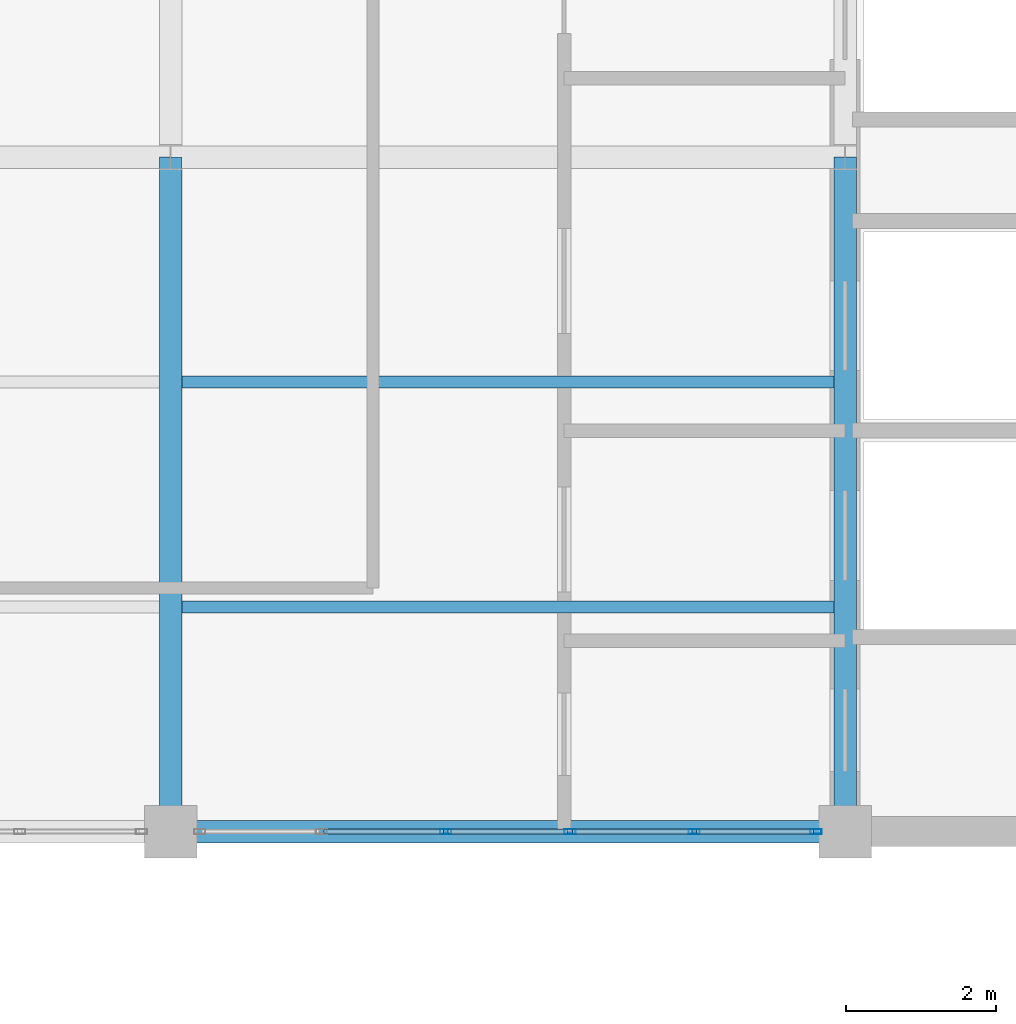
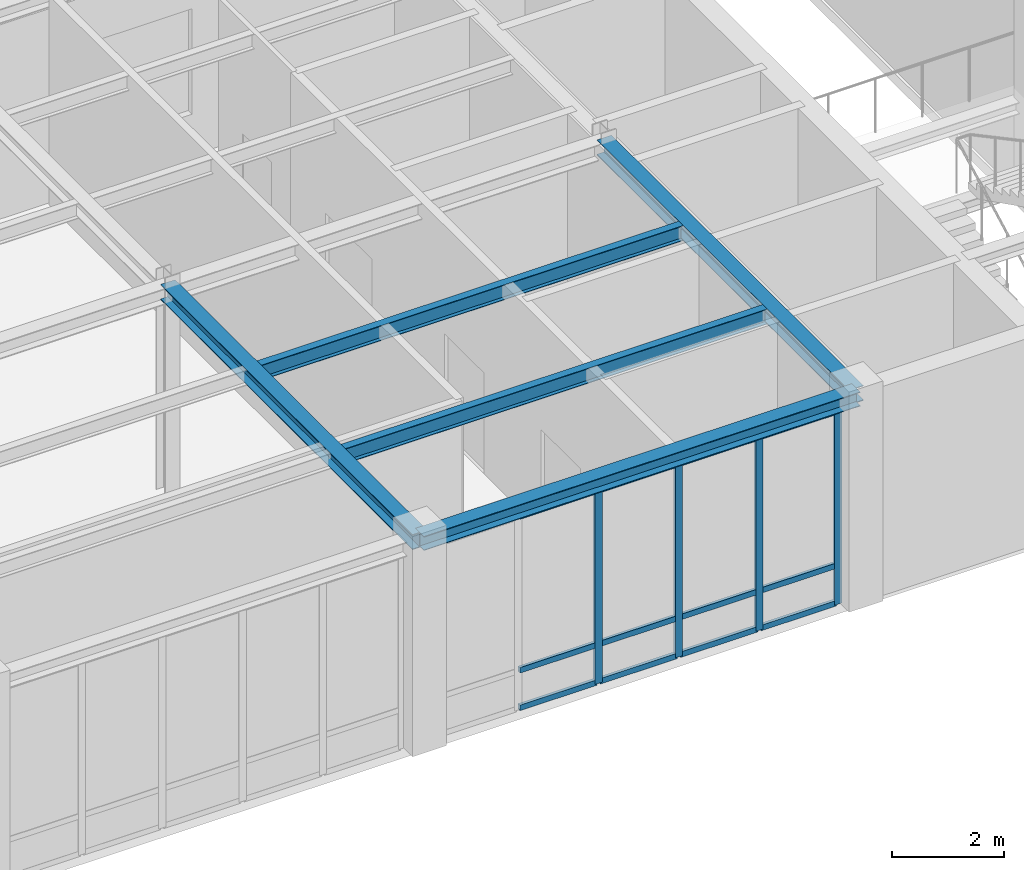
# One storey, part 47 of 98: 16 members, 5 beams, 1 element without a shape of its own.
"""IFC4 building model written with IfcOpenShell, lengths in metres."""

from ifc_helpers import new_model, si_unit, direction, frame, origin, origin_2d, place, context, subcontext, project, spatial, hollow_rectangle, i_section, extrude, material, material_profile, profile_set, type_object, element, aggregate, save


model = new_model("IFC4")

# Units and contexts
model_context = context("Model", 3, precision=1e-05, world=origin(), true_north=direction((0.0, 1.0)))
body_context = subcontext(model_context, "Body", "Model", "MODEL_VIEW")
ifc_project = project(units=[si_unit("LENGTHUNIT", "METRE"), si_unit("AREAUNIT", "SQUARE_METRE"), si_unit("VOLUMEUNIT", "CUBIC_METRE"), si_unit("PLANEANGLEUNIT", "RADIAN"), si_unit("MASSUNIT", "GRAM", prefix="KILO")], contexts=[model_context])

# Site, building, storey
site_placement = place(None, origin())
site = spatial("IfcSite", under=ifc_project, at=site_placement, CompositionType="ELEMENT")
building_placement = place(site_placement, origin())
building = spatial("IfcBuilding", under=site, at=building_placement, Name="Lykobir Media Centre", CompositionType="ELEMENT")
storey_placement = place(building_placement, frame((0.0, 0.0, 10.199951171875)))
storey = spatial("IfcBuildingStorey", under=building, at=storey_placement, Name="L02", CompositionType="ELEMENT", Elevation=10.199951171875)

# Beams
ifc_material_1 = material(Name="Steel S355", Category="steel")
ifc_material_profile_1 = material_profile(ifc_material_1, i_section(OverallWidth=0.300048828125, OverallDepth=0.330078125, WebThickness=0.009521484375, FlangeThickness=0.0166015625, at=origin_2d()), Name="HEA 340")
ifc_profile_set_1 = profile_set([ifc_material_profile_1], Name="Steel S355")
beam_type_1 = type_object("IfcBeamType", Name="BM-HEA340", PredefinedType="BEAM", material=ifc_profile_set_1)
for number, where, z_axis, x_axis, name in (
    (1, (117.0, 72.0, 4.39501953125), (0.0, 1.0, 0.0), (-1.0, 0.0, 0.0), "Beam BM-L02-1170-0720-1170-0810-1460"),
    (2, (126.0, 72.0, 4.39501953125), (0.0, 1.0, 0.0), (-1.0, 0.0, 0.0), "Beam BM-L02-1260-0720-1260-0810-1460"),
):
    element("IfcBeam", number, at=place(storey_placement, frame(where, z_axis=z_axis, x_axis=x_axis)), inside=storey, type_object=beam_type_1, Name=name, PredefinedType="BEAM", context=body_context, shape_type="SweptSolid", body=[
        extrude(i_section(OverallWidth=0.300048828125, OverallDepth=0.330078125, WebThickness=0.009521484375, FlangeThickness=0.0166015625, at=origin_2d()), origin(), (0.0, 0.0, 1.0), 9.0),
    ])

# Curtain wall, members
ifc_material_2 = material(Name="Anodized Aluminium AW-6060", Category="aluminium")
curtain_wall_type = type_object("IfcCurtainWallType", Name="CW-COURT-A", PredefinedType="NOTDEFINED", material=ifc_material_2)
curtain_wall_placement = place(storey_placement, origin())
curtain_wall = element("IfcCurtainWall", 3, at=curtain_wall_placement, inside=storey, type_object=curtain_wall_type, Name="Curtain wall CW2-L02-0110", PredefinedType="NOTDEFINED")
ifc_material_profile_2 = material_profile(ifc_material_2, hollow_rectangle(XDim=0.06494140625, YDim=0.14990234375, WallThickness=0.00341796875, at=origin_2d()), Name="ALU MULLION 65x150")
ifc_profile_set_2 = profile_set([ifc_material_profile_2], Name="Anodized Aluminium AW-6060")
member_type_1 = type_object("IfcMemberType", Name="CWM-150", PredefinedType="MULLION", material=ifc_profile_set_2)
member_1_placement = place(storey_placement, frame((125.612548828125, 72.0, 0.0), z_axis=(0.0, 0.0, 1.0), x_axis=(0.0, -1.0, 0.0)))
member_1 = element("IfcMember", 4, at=member_1_placement, type_object=member_type_1, Name="CW2-L02-0110 mullion 1", PredefinedType="MULLION", context=body_context, shape_type="SweptSolid", body=[
    extrude(hollow_rectangle(XDim=0.06494140625, YDim=0.14990234375, WallThickness=0.00341796875, at=origin_2d()), origin(), (0.0, 0.0, 1.0), 4.235107421875),
])
member_2_placement = place(storey_placement, frame((123.987060546875, 72.0, 0.0), z_axis=(0.0, 0.0, 1.0), x_axis=(0.0, -1.0, 0.0)))
member_2 = element("IfcMember", 5, at=member_2_placement, type_object=member_type_1, Name="CW2-L02-0110 mullion 2", PredefinedType="MULLION", context=body_context, shape_type="SweptSolid", body=[
    extrude(hollow_rectangle(XDim=0.06494140625, YDim=0.14990234375, WallThickness=0.00341796875, at=origin_2d()), origin(), (0.0, 0.0, 1.0), 4.235107421875),
])
member_3_placement = place(storey_placement, frame((122.3291015625, 72.0, 0.0), z_axis=(0.0, 0.0, 1.0), x_axis=(0.0, -1.0, 0.0)))
member_3 = element("IfcMember", 6, at=member_3_placement, type_object=member_type_1, Name="CW2-L02-0110 mullion 3", PredefinedType="MULLION", context=body_context, shape_type="SweptSolid", body=[
    extrude(hollow_rectangle(XDim=0.06494140625, YDim=0.14990234375, WallThickness=0.00341796875, at=origin_2d()), origin(), (0.0, 0.0, 1.0), 4.235107421875),
])
member_4_placement = place(storey_placement, frame((120.6708984375, 72.0, 0.0), z_axis=(0.0, 0.0, 1.0), x_axis=(0.0, -1.0, 0.0)))
member_4 = element("IfcMember", 7, at=member_4_placement, type_object=member_type_1, Name="CW2-L02-0110 mullion 4", PredefinedType="MULLION", context=body_context, shape_type="SweptSolid", body=[
    extrude(hollow_rectangle(XDim=0.06494140625, YDim=0.14990234375, WallThickness=0.00341796875, at=origin_2d()), origin(), (0.0, 0.0, 1.0), 4.235107421875),
])
ifc_material_profile_3 = material_profile(ifc_material_2, hollow_rectangle(XDim=0.06494140625, YDim=0.1201171875, WallThickness=0.0029296875, at=origin_2d()), Name="ALU TRANSOM 65x120")
ifc_profile_set_3 = profile_set([ifc_material_profile_3], Name="Anodized Aluminium AW-6060")
member_type_2 = type_object("IfcMemberType", Name="CWT-120", PredefinedType="USERDEFINED", material=ifc_profile_set_3)
member_5_placement = place(storey_placement, frame((125.580078125, 72.0, 0.032470703125), z_axis=(-1.0, 0.0, 0.0), x_axis=(0.0, -1.0, 0.0)))
member_5 = element("IfcMember", 8, at=member_5_placement, type_object=member_type_2, Name="CW2-L02-0110 transom 1.1", ObjectType="TRANSOM", PredefinedType="USERDEFINED", context=body_context, shape_type="SweptSolid", body=[
    extrude(hollow_rectangle(XDim=0.06494140625, YDim=0.1201171875, WallThickness=0.0029296875, at=origin_2d()), origin(), (0.0, 0.0, 1.0), 1.560546875),
])
member_6_placement = place(storey_placement, frame((125.580078125, 72.0, 0.85009765625), z_axis=(-1.0, 0.0, 0.0), x_axis=(0.0, -1.0, 0.0)))
member_6 = element("IfcMember", 9, at=member_6_placement, type_object=member_type_2, Name="CW2-L02-0110 transom 1.2", ObjectType="TRANSOM", PredefinedType="USERDEFINED", context=body_context, shape_type="SweptSolid", body=[
    extrude(hollow_rectangle(XDim=0.06494140625, YDim=0.1201171875, WallThickness=0.0029296875, at=origin_2d()), origin(), (0.0, 0.0, 1.0), 1.560546875),
])
member_7_placement = place(storey_placement, frame((125.580078125, 72.0, 4.20263671875), z_axis=(-1.0, 0.0, 0.0), x_axis=(0.0, -1.0, 0.0)))
member_7 = element("IfcMember", 10, at=member_7_placement, type_object=member_type_2, Name="CW2-L02-0110 transom 1.3", ObjectType="TRANSOM", PredefinedType="USERDEFINED", context=body_context, shape_type="SweptSolid", body=[
    extrude(hollow_rectangle(XDim=0.06494140625, YDim=0.1201171875, WallThickness=0.0029296875, at=origin_2d()), origin(), (0.0, 0.0, 1.0), 1.560546875),
])
member_8_placement = place(storey_placement, frame((123.95458984375, 72.0, 0.032470703125), z_axis=(-1.0, 0.0, 0.0), x_axis=(0.0, -1.0, 0.0)))
member_8 = element("IfcMember", 11, at=member_8_placement, type_object=member_type_2, Name="CW2-L02-0110 transom 2.1", ObjectType="TRANSOM", PredefinedType="USERDEFINED", context=body_context, shape_type="SweptSolid", body=[
    extrude(hollow_rectangle(XDim=0.06494140625, YDim=0.1201171875, WallThickness=0.0029296875, at=origin_2d()), origin(), (0.0, 0.0, 1.0), 1.593017578125),
])
member_9_placement = place(storey_placement, frame((123.95458984375, 72.0, 0.85009765625), z_axis=(-1.0, 0.0, 0.0), x_axis=(0.0, -1.0, 0.0)))
member_9 = element("IfcMember", 12, at=member_9_placement, type_object=member_type_2, Name="CW2-L02-0110 transom 2.2", ObjectType="TRANSOM", PredefinedType="USERDEFINED", context=body_context, shape_type="SweptSolid", body=[
    extrude(hollow_rectangle(XDim=0.06494140625, YDim=0.1201171875, WallThickness=0.0029296875, at=origin_2d()), origin(), (0.0, 0.0, 1.0), 1.593017578125),
])
member_10_placement = place(storey_placement, frame((123.95458984375, 72.0, 4.20263671875), z_axis=(-1.0, 0.0, 0.0), x_axis=(0.0, -1.0, 0.0)))
member_10 = element("IfcMember", 13, at=member_10_placement, type_object=member_type_2, Name="CW2-L02-0110 transom 2.3", ObjectType="TRANSOM", PredefinedType="USERDEFINED", context=body_context, shape_type="SweptSolid", body=[
    extrude(hollow_rectangle(XDim=0.06494140625, YDim=0.1201171875, WallThickness=0.0029296875, at=origin_2d()), origin(), (0.0, 0.0, 1.0), 1.593017578125),
])
member_11_placement = place(storey_placement, frame((122.29638671875, 72.0, 0.032470703125), z_axis=(-1.0, 0.0, 0.0), x_axis=(0.0, -1.0, 0.0)))
member_11 = element("IfcMember", 14, at=member_11_placement, type_object=member_type_2, Name="CW2-L02-0110 transom 3.1", ObjectType="TRANSOM", PredefinedType="USERDEFINED", context=body_context, shape_type="SweptSolid", body=[
    extrude(hollow_rectangle(XDim=0.06494140625, YDim=0.1201171875, WallThickness=0.0029296875, at=origin_2d()), origin(), (0.0, 0.0, 1.0), 1.5927734375),
])
member_12_placement = place(storey_placement, frame((122.29638671875, 72.0, 0.85009765625), z_axis=(-1.0, 0.0, 0.0), x_axis=(0.0, -1.0, 0.0)))
member_12 = element("IfcMember", 15, at=member_12_placement, type_object=member_type_2, Name="CW2-L02-0110 transom 3.2", ObjectType="TRANSOM", PredefinedType="USERDEFINED", context=body_context, shape_type="SweptSolid", body=[
    extrude(hollow_rectangle(XDim=0.06494140625, YDim=0.1201171875, WallThickness=0.0029296875, at=origin_2d()), origin(), (0.0, 0.0, 1.0), 1.5927734375),
])
member_13_placement = place(storey_placement, frame((122.29638671875, 72.0, 4.20263671875), z_axis=(-1.0, 0.0, 0.0), x_axis=(0.0, -1.0, 0.0)))
member_13 = element("IfcMember", 16, at=member_13_placement, type_object=member_type_2, Name="CW2-L02-0110 transom 3.3", ObjectType="TRANSOM", PredefinedType="USERDEFINED", context=body_context, shape_type="SweptSolid", body=[
    extrude(hollow_rectangle(XDim=0.06494140625, YDim=0.1201171875, WallThickness=0.0029296875, at=origin_2d()), origin(), (0.0, 0.0, 1.0), 1.5927734375),
])
member_14_placement = place(storey_placement, frame((120.638427734375, 72.0, 0.032470703125), z_axis=(-1.0, 0.0, 0.0), x_axis=(0.0, -1.0, 0.0)))
member_14 = element("IfcMember", 17, at=member_14_placement, type_object=member_type_2, Name="CW2-L02-0110 transom 4.1", ObjectType="TRANSOM", PredefinedType="USERDEFINED", context=body_context, shape_type="SweptSolid", body=[
    extrude(hollow_rectangle(XDim=0.06494140625, YDim=0.1201171875, WallThickness=0.0029296875, at=origin_2d()), origin(), (0.0, 0.0, 1.0), 1.593017578125),
])
member_15_placement = place(storey_placement, frame((120.638427734375, 72.0, 0.85009765625), z_axis=(-1.0, 0.0, 0.0), x_axis=(0.0, -1.0, 0.0)))
member_15 = element("IfcMember", 18, at=member_15_placement, type_object=member_type_2, Name="CW2-L02-0110 transom 4.2", ObjectType="TRANSOM", PredefinedType="USERDEFINED", context=body_context, shape_type="SweptSolid", body=[
    extrude(hollow_rectangle(XDim=0.06494140625, YDim=0.1201171875, WallThickness=0.0029296875, at=origin_2d()), origin(), (0.0, 0.0, 1.0), 1.593017578125),
])
member_16_placement = place(storey_placement, frame((120.638427734375, 72.0, 4.20263671875), z_axis=(-1.0, 0.0, 0.0), x_axis=(0.0, -1.0, 0.0)))
member_16 = element("IfcMember", 19, at=member_16_placement, type_object=member_type_2, Name="CW2-L02-0110 transom 4.3", ObjectType="TRANSOM", PredefinedType="USERDEFINED", context=body_context, shape_type="SweptSolid", body=[
    extrude(hollow_rectangle(XDim=0.06494140625, YDim=0.1201171875, WallThickness=0.0029296875, at=origin_2d()), origin(), (0.0, 0.0, 1.0), 1.593017578125),
])
aggregate(curtain_wall, [member_1, member_2, member_3, member_4, member_5, member_6, member_7, member_8, member_9, member_10, member_11, member_12, member_13, member_14, member_15, member_16])

# Beams
ifc_material_profile_4 = material_profile(ifc_material_1, i_section(OverallWidth=0.159912109375, OverallDepth=0.330078125, WebThickness=0.007568359375, FlangeThickness=0.011474609375, at=origin_2d()), Name="IPE 330")
ifc_profile_set_4 = profile_set([ifc_material_profile_4], Name="Steel S355")
beam_type_2 = type_object("IfcBeamType", Name="JS-IPE330", PredefinedType="JOIST", material=ifc_profile_set_4)
for number, where, z_axis, x_axis, name in (
    (20, (117.14990234375, 75.0, 4.39501953125), (1.0, 0.0, 0.0), (0.0, 1.0, 0.0), "Beam BM-L02-1172-0750-1258-0750-1460"),
    (21, (117.14990234375, 78.0, 4.39501953125), (1.0, 0.0, 0.0), (0.0, 1.0, 0.0), "Beam BM-L02-1172-0780-1258-0780-1460"),
):
    element("IfcBeam", number, at=place(storey_placement, frame(where, z_axis=z_axis, x_axis=x_axis)), inside=storey, type_object=beam_type_2, Name=name, PredefinedType="JOIST", context=body_context, shape_type="SweptSolid", body=[
        extrude(i_section(OverallWidth=0.159912109375, OverallDepth=0.330078125, WebThickness=0.007568359375, FlangeThickness=0.011474609375, at=origin_2d()), origin(), (0.0, 0.0, 1.0), 8.7001953125),
    ])
ifc_material_profile_5 = material_profile(ifc_material_1, i_section(OverallWidth=0.300048828125, OverallDepth=0.31005859375, WebThickness=0.009033203125, FlangeThickness=0.015380859375, at=origin_2d()), Name="HEA 320")
ifc_profile_set_5 = profile_set([ifc_material_profile_5], Name="Steel S355")
beam_type_3 = type_object("IfcBeamType", Name="SP-HEA320", PredefinedType="SPANDREL", material=ifc_profile_set_5)
beam_placement = place(storey_placement, frame((117.0, 72.0, 4.405029296875), z_axis=(1.0, 0.0, 0.0), x_axis=(0.0, 1.0, 0.0)))
element("IfcBeam", 22, at=beam_placement, inside=storey, type_object=beam_type_3, Name="Beam BM-L02-1170-0720-1260-0720-1460", PredefinedType="SPANDREL", context=body_context, shape_type="SweptSolid", body=[
    extrude(i_section(OverallWidth=0.300048828125, OverallDepth=0.31005859375, WebThickness=0.009033203125, FlangeThickness=0.015380859375, at=origin_2d()), origin(), (0.0, 0.0, 1.0), 9.0),
])

save(model, "model.ifc")
